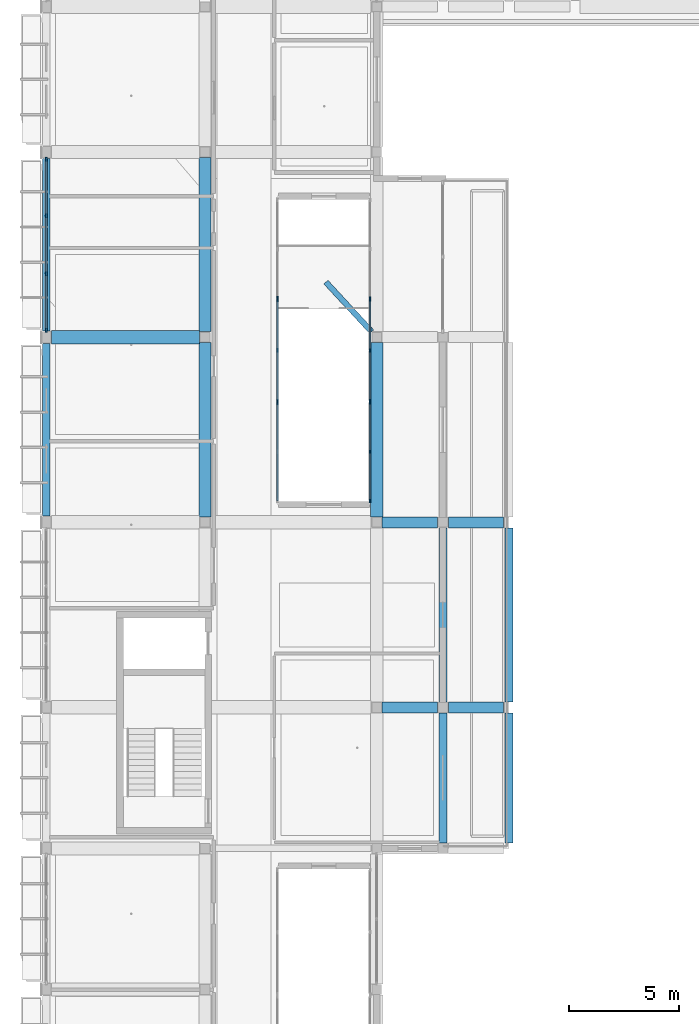
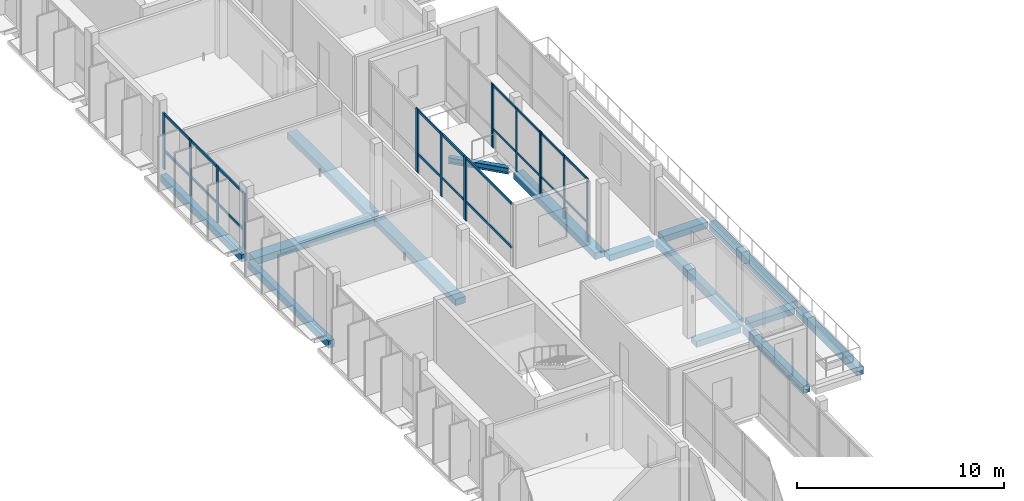
# One storey, part 7 of 86: 26 members, 15 beams, 7 elements without a shape of their own.
"""IFC4 building model written with IfcOpenShell, lengths in metres."""

from ifc_helpers import new_model, si_unit, derived_unit, direction, frame, origin, origin_2d, place, context, subcontext, project, spatial, rectangle, i_section, extrude, material, material_profile, profile_set, type_object, element, aggregate, save


model = new_model("IFC4")

# Units and contexts
model_context = context("Model", 3, precision=1e-05, world=origin(), true_north=direction((0.0, 1.0)))
body_context = subcontext(model_context, "Body", "Model", "MODEL_VIEW")
ifc_project = project(units=[si_unit("LENGTHUNIT", "METRE"), si_unit("AREAUNIT", "SQUARE_METRE"), si_unit("VOLUMEUNIT", "CUBIC_METRE"), si_unit("PLANEANGLEUNIT", "RADIAN"), si_unit("MASSUNIT", "GRAM", prefix="KILO"), derived_unit("THERMALTRANSMITTANCEUNIT", [(si_unit("POWERUNIT", "WATT"), 1), (si_unit("LENGTHUNIT", "METRE"), -2), (si_unit("THERMODYNAMICTEMPERATUREUNIT", "KELVIN"), -1)])], contexts=[model_context])

# Site, building, storey
site_placement = place(None, origin())
site = spatial("IfcSite", under=ifc_project, at=site_placement, CompositionType="ELEMENT")
building_placement = place(site_placement, origin())
building = spatial("IfcBuilding", under=site, at=building_placement, Name="Braskholm Square Health Centre", CompositionType="ELEMENT")
storey_placement = place(building_placement, frame((0.0, 0.0, 13.5)))
storey = spatial("IfcBuildingStorey", under=building, at=storey_placement, Name="L04", CompositionType="ELEMENT", Elevation=13.5)

# Curtain wall, members
ifc_material_1 = material(Name="Low-E triple insulating glass (VLT 0.64)", Category="glass")
curtain_wall_type_1 = type_object("IfcCurtainWallType", Name="UnitisedCurtainWall4800x3800", PredefinedType="NOTDEFINED", material=ifc_material_1)
curtain_wall_1_placement = place(storey_placement, origin())
curtain_wall_1 = element("IfcCurtainWall", 1, at=curtain_wall_1_placement, inside=storey, type_object=curtain_wall_type_1, Name="WC2 Court E unitised curtain wall CW-L04-0304", PredefinedType="NOTDEFINED")
ifc_material_2 = material(Name="Architectural bronze anodised aluminium", Category="aluminium")
ifc_material_profile_1 = material_profile(ifc_material_2, rectangle(XDim=0.06494140625, YDim=0.14990234375, at=origin_2d()), Name="ALU-65X150")
ifc_profile_set_1 = profile_set([ifc_material_profile_1], Name="Architectural bronze anodised aluminium")
member_type_1 = type_object("IfcMemberType", Name="CurtainWallMullion65x150", PredefinedType="MULLION", material=ifc_profile_set_1)
member_1_placement = place(storey_placement, frame((18.89990234375, 69.23486328125, 0.0), z_axis=(0.0, 0.0, 1.0), x_axis=(1.0, 0.0, 0.0)))
member_1 = element("IfcMember", 2, at=member_1_placement, type_object=member_type_1, Name="CW-L04-0304 vertical mullion 1", PredefinedType="MULLION", context=body_context, shape_type="SweptSolid", body=[
    extrude(rectangle(XDim=0.06494140625, YDim=0.14990234375, at=origin_2d()), origin(), (0.0, 0.0, 1.0), 3.75),
])
member_2_placement = place(storey_placement, frame((18.89990234375, 67.0009765625, 0.0), z_axis=(0.0, 0.0, 1.0), x_axis=(1.0, 0.0, 0.0)))
member_2 = element("IfcMember", 3, at=member_2_placement, type_object=member_type_1, Name="CW-L04-0304 vertical mullion 2", PredefinedType="MULLION", context=body_context, shape_type="SweptSolid", body=[
    extrude(rectangle(XDim=0.06494140625, YDim=0.14990234375, at=origin_2d()), origin(), (0.0, 0.0, 1.0), 3.75),
])
member_3_placement = place(storey_placement, frame((18.89990234375, 64.76708984375, 0.0), z_axis=(0.0, 0.0, 1.0), x_axis=(1.0, 0.0, 0.0)))
member_3 = element("IfcMember", 4, at=member_3_placement, type_object=member_type_1, Name="CW-L04-0304 vertical mullion 3", PredefinedType="MULLION", context=body_context, shape_type="SweptSolid", body=[
    extrude(rectangle(XDim=0.06494140625, YDim=0.14990234375, at=origin_2d()), origin(), (0.0, 0.0, 1.0), 3.75),
])

curtain_wall_2_placement = place(storey_placement, origin())
curtain_wall_2 = element("IfcCurtainWall", 5, at=curtain_wall_2_placement, inside=storey, type_object=curtain_wall_type_1, Name="WC2 Court E unitised curtain wall CW-L04-0306", PredefinedType="NOTDEFINED")
member_4_placement = place(storey_placement, frame((18.89990234375, 73.900146484375, 0.0), z_axis=(0.0, 0.0, 1.0), x_axis=(1.0, 0.0, 0.0)))
member_4 = element("IfcMember", 6, at=member_4_placement, type_object=member_type_1, Name="CW-L04-0306 vertical mullion 1", PredefinedType="MULLION", context=body_context, shape_type="SweptSolid", body=[
    extrude(rectangle(XDim=0.06494140625, YDim=0.14990234375, at=origin_2d()), origin(), (0.0, 0.0, 1.0), 3.75),
])
member_5_placement = place(storey_placement, frame((18.89990234375, 71.60009765625, 0.0), z_axis=(0.0, 0.0, 1.0), x_axis=(1.0, 0.0, 0.0)))
member_5 = element("IfcMember", 7, at=member_5_placement, type_object=member_type_1, Name="CW-L04-0306 vertical mullion 2", PredefinedType="MULLION", context=body_context, shape_type="SweptSolid", body=[
    extrude(rectangle(XDim=0.06494140625, YDim=0.14990234375, at=origin_2d()), origin(), (0.0, 0.0, 1.0), 3.75),
])
member_6_placement = place(storey_placement, frame((18.89990234375, 69.2998046875, 0.0), z_axis=(0.0, 0.0, 1.0), x_axis=(1.0, 0.0, 0.0)))
member_6 = element("IfcMember", 8, at=member_6_placement, type_object=member_type_1, Name="CW-L04-0306 vertical mullion 3", PredefinedType="MULLION", context=body_context, shape_type="SweptSolid", body=[
    extrude(rectangle(XDim=0.06494140625, YDim=0.14990234375, at=origin_2d()), origin(), (0.0, 0.0, 1.0), 3.75),
])

# Curtain wall, member
curtain_wall_3_placement = place(storey_placement, origin())
curtain_wall_3 = element("IfcCurtainWall", 9, at=curtain_wall_3_placement, inside=storey, type_object=curtain_wall_type_1, Name="WC2 Court E unitised curtain wall CW-L04-0308", PredefinedType="NOTDEFINED")
member_7_placement = place(storey_placement, frame((18.89990234375, 73.965087890625, 0.0), z_axis=(0.0, 0.0, 1.0), x_axis=(1.0, 0.0, 0.0)))
member_7 = element("IfcMember", 10, at=member_7_placement, type_object=member_type_1, Name="CW-L04-0308 vertical mullion 3", PredefinedType="MULLION", context=body_context, shape_type="SweptSolid", body=[
    extrude(rectangle(XDim=0.06494140625, YDim=0.14990234375, at=origin_2d()), origin(), (0.0, 0.0, 1.0), 3.75),
])
aggregate(curtain_wall_3, [member_7])

# Curtain wall, members
curtain_wall_type_2 = type_object("IfcCurtainWallType", Name="UnitisedCurtainWall6200x3650", PredefinedType="NOTDEFINED", material=ifc_material_1)
curtain_wall_4_placement = place(storey_placement, origin())
curtain_wall_4 = element("IfcCurtainWall", 11, at=curtain_wall_4_placement, inside=storey, type_object=curtain_wall_type_2, Name="West Outer unitised curtain wall CW-L04-0027", PredefinedType="NOTDEFINED")
ifc_material_profile_2 = material_profile(ifc_material_2, rectangle(XDim=0.074951171875, YDim=0.179931640625, at=origin_2d()), Name="ALU-75X180")
ifc_profile_set_2 = profile_set([ifc_material_profile_2], Name="Architectural bronze anodised aluminium")
member_type_2 = type_object("IfcMemberType", Name="CurtainWallMullion75x180", PredefinedType="MULLION", material=ifc_profile_set_2)
member_8_placement = place(storey_placement, frame((4.199951171875, 80.28271484375, 0.0), z_axis=(0.0, 0.0, 1.0), x_axis=(1.0, 0.0, 0.0)))
member_8 = element("IfcMember", 12, at=member_8_placement, type_object=member_type_2, Name="CW-L04-0027 vertical mullion 1", PredefinedType="MULLION", context=body_context, shape_type="SweptSolid", body=[
    extrude(rectangle(XDim=0.074951171875, YDim=0.179931640625, at=origin_2d()), origin(), (0.0, 0.0, 1.0), 3.330078125),
])
member_9_placement = place(storey_placement, frame((4.199951171875, 77.7099609375, 0.0), z_axis=(0.0, 0.0, 1.0), x_axis=(1.0, 0.0, 0.0)))
member_9 = element("IfcMember", 13, at=member_9_placement, type_object=member_type_2, Name="CW-L04-0027 vertical mullion 2", PredefinedType="MULLION", context=body_context, shape_type="SweptSolid", body=[
    extrude(rectangle(XDim=0.074951171875, YDim=0.179931640625, at=origin_2d()), origin(), (0.0, 0.0, 1.0), 3.330078125),
])
member_10_placement = place(storey_placement, frame((4.199951171875, 75.090087890625, 0.0), z_axis=(0.0, 0.0, 1.0), x_axis=(1.0, 0.0, 0.0)))
member_10 = element("IfcMember", 14, at=member_10_placement, type_object=member_type_2, Name="CW-L04-0027 vertical mullion 3", PredefinedType="MULLION", context=body_context, shape_type="SweptSolid", body=[
    extrude(rectangle(XDim=0.074951171875, YDim=0.179931640625, at=origin_2d()), origin(), (0.0, 0.0, 1.0), 3.330078125),
])
member_11_placement = place(storey_placement, frame((4.199951171875, 72.51708984375, 0.0), z_axis=(0.0, 0.0, 1.0), x_axis=(1.0, 0.0, 0.0)))
member_11 = element("IfcMember", 15, at=member_11_placement, type_object=member_type_2, Name="CW-L04-0027 vertical mullion 4", PredefinedType="MULLION", context=body_context, shape_type="SweptSolid", body=[
    extrude(rectangle(XDim=0.074951171875, YDim=0.179931640625, at=origin_2d()), origin(), (0.0, 0.0, 1.0), 3.330078125),
])

# Curtain wall, member
curtain_wall_5_placement = place(storey_placement, origin())
curtain_wall_5 = element("IfcCurtainWall", 16, at=curtain_wall_5_placement, inside=storey, type_object=curtain_wall_type_1, Name="WC2 Court W unitised curtain wall CW-L04-0303", PredefinedType="NOTDEFINED")
member_12_placement = place(storey_placement, frame((14.699951171875, 69.23486328125, 0.0), z_axis=(0.0, 0.0, 1.0), x_axis=(1.0, 0.0, 0.0)))
member_12 = element("IfcMember", 17, at=member_12_placement, type_object=member_type_2, Name="CW-L04-0303 vertical mullion 3", PredefinedType="MULLION", context=body_context, shape_type="SweptSolid", body=[
    extrude(rectangle(XDim=0.074951171875, YDim=0.179931640625, at=origin_2d()), origin(), (0.0, 0.0, 1.0), 3.75),
])

# Curtain wall, members
curtain_wall_6_placement = place(storey_placement, origin())
curtain_wall_6 = element("IfcCurtainWall", 18, at=curtain_wall_6_placement, inside=storey, type_object=curtain_wall_type_1, Name="WC2 Court W unitised curtain wall CW-L04-0305", PredefinedType="NOTDEFINED")
member_13_placement = place(storey_placement, frame((14.699951171875, 69.2998046875, 0.0), z_axis=(0.0, 0.0, 1.0), x_axis=(1.0, 0.0, 0.0)))
member_13 = element("IfcMember", 19, at=member_13_placement, type_object=member_type_2, Name="CW-L04-0305 vertical mullion 1", PredefinedType="MULLION", context=body_context, shape_type="SweptSolid", body=[
    extrude(rectangle(XDim=0.074951171875, YDim=0.179931640625, at=origin_2d()), origin(), (0.0, 0.0, 1.0), 3.75),
])
member_14_placement = place(storey_placement, frame((14.699951171875, 71.60009765625, 0.0), z_axis=(0.0, 0.0, 1.0), x_axis=(1.0, 0.0, 0.0)))
member_14 = element("IfcMember", 20, at=member_14_placement, type_object=member_type_2, Name="CW-L04-0305 vertical mullion 2", PredefinedType="MULLION", context=body_context, shape_type="SweptSolid", body=[
    extrude(rectangle(XDim=0.074951171875, YDim=0.179931640625, at=origin_2d()), origin(), (0.0, 0.0, 1.0), 3.75),
])
member_15_placement = place(storey_placement, frame((14.699951171875, 73.900146484375, 0.0), z_axis=(0.0, 0.0, 1.0), x_axis=(1.0, 0.0, 0.0)))
member_15 = element("IfcMember", 21, at=member_15_placement, type_object=member_type_2, Name="CW-L04-0305 vertical mullion 3", PredefinedType="MULLION", context=body_context, shape_type="SweptSolid", body=[
    extrude(rectangle(XDim=0.074951171875, YDim=0.179931640625, at=origin_2d()), origin(), (0.0, 0.0, 1.0), 3.75),
])

# Curtain wall, member
curtain_wall_7_placement = place(storey_placement, origin())
curtain_wall_7 = element("IfcCurtainWall", 22, at=curtain_wall_7_placement, inside=storey, type_object=curtain_wall_type_1, Name="WC2 Court W unitised curtain wall CW-L04-0307", PredefinedType="NOTDEFINED")
member_16_placement = place(storey_placement, frame((14.699951171875, 73.965087890625, 0.0), z_axis=(0.0, 0.0, 1.0), x_axis=(1.0, 0.0, 0.0)))
member_16 = element("IfcMember", 23, at=member_16_placement, type_object=member_type_2, Name="CW-L04-0307 vertical mullion 1", PredefinedType="MULLION", context=body_context, shape_type="SweptSolid", body=[
    extrude(rectangle(XDim=0.074951171875, YDim=0.179931640625, at=origin_2d()), origin(), (0.0, 0.0, 1.0), 3.75),
])
aggregate(curtain_wall_7, [member_16])

# Member
ifc_material_profile_3 = material_profile(ifc_material_2, rectangle(XDim=0.06494140625, YDim=0.1201171875, at=origin_2d()), Name="ALU-65X120")
ifc_profile_set_3 = profile_set([ifc_material_profile_3], Name="Architectural bronze anodised aluminium")
member_type_3 = type_object("IfcMemberType", Name="CurtainWallTransom65x120", PredefinedType="USERDEFINED", material=ifc_profile_set_3)
member_17_placement = place(storey_placement, frame((18.89990234375, 69.217041015625, 1.1201171875), z_axis=(0.0, -1.0, 0.0), x_axis=(1.0, 0.0, 0.0)))
member_17 = element("IfcMember", 24, at=member_17_placement, type_object=member_type_3, Name="CW-L04-0304 horizontal transom 1", ObjectType="TRANSOM", PredefinedType="USERDEFINED", context=body_context, shape_type="SweptSolid", body=[
    extrude(rectangle(XDim=0.06494140625, YDim=0.1201171875, at=origin_2d()), origin(), (0.0, 0.0, 1.0), 4.43212890625),
])

member_18_placement = place(storey_placement, frame((18.89990234375, 69.217041015625, 3.679931640625), z_axis=(0.0, -1.0, 0.0), x_axis=(1.0, 0.0, 0.0)))
member_18 = element("IfcMember", 25, at=member_18_placement, type_object=member_type_3, Name="CW-L04-0304 horizontal transom 2", ObjectType="TRANSOM", PredefinedType="USERDEFINED", context=body_context, shape_type="SweptSolid", body=[
    extrude(rectangle(XDim=0.06494140625, YDim=0.1201171875, at=origin_2d()), origin(), (0.0, 0.0, 1.0), 4.43212890625),
])

aggregate(curtain_wall_1, [member_1, member_2, member_3, member_17, member_18])

member_19_placement = place(storey_placement, frame((18.89990234375, 73.883056640625, 1.1201171875), z_axis=(0.0, -1.0, 0.0), x_axis=(1.0, 0.0, 0.0)))
member_19 = element("IfcMember", 26, at=member_19_placement, type_object=member_type_3, Name="CW-L04-0306 horizontal transom 1", ObjectType="TRANSOM", PredefinedType="USERDEFINED", context=body_context, shape_type="SweptSolid", body=[
    extrude(rectangle(XDim=0.06494140625, YDim=0.1201171875, at=origin_2d()), origin(), (0.0, 0.0, 1.0), 4.566162109375),
])

member_20_placement = place(storey_placement, frame((18.89990234375, 73.883056640625, 3.679931640625), z_axis=(0.0, -1.0, 0.0), x_axis=(1.0, 0.0, 0.0)))
member_20 = element("IfcMember", 27, at=member_20_placement, type_object=member_type_3, Name="CW-L04-0306 horizontal transom 2", ObjectType="TRANSOM", PredefinedType="USERDEFINED", context=body_context, shape_type="SweptSolid", body=[
    extrude(rectangle(XDim=0.06494140625, YDim=0.1201171875, at=origin_2d()), origin(), (0.0, 0.0, 1.0), 4.566162109375),
])

aggregate(curtain_wall_2, [member_4, member_5, member_6, member_19, member_20])

ifc_material_profile_4 = material_profile(ifc_material_2, rectangle(XDim=0.074951171875, YDim=0.139892578125, at=origin_2d()), Name="ALU-75X140")
ifc_profile_set_4 = profile_set([ifc_material_profile_4], Name="Architectural bronze anodised aluminium")
member_type_4 = type_object("IfcMemberType", Name="CurtainWallTransom75x140", PredefinedType="USERDEFINED", material=ifc_profile_set_4)
member_21_placement = place(storey_placement, frame((4.199951171875, 80.284912109375, 1.1201171875), z_axis=(0.0, -1.0, 0.0), x_axis=(1.0, 0.0, 0.0)))
member_21 = element("IfcMember", 28, at=member_21_placement, type_object=member_type_4, Name="CW-L04-0027 horizontal transom 1", ObjectType="TRANSOM", PredefinedType="USERDEFINED", context=body_context, shape_type="SweptSolid", body=[
    extrude(rectangle(XDim=0.074951171875, YDim=0.139892578125, at=origin_2d()), origin(), (0.0, 0.0, 1.0), 7.77001953125),
])

member_22_placement = place(storey_placement, frame((4.199951171875, 80.284912109375, 3.260009765625), z_axis=(0.0, -1.0, 0.0), x_axis=(1.0, 0.0, 0.0)))
member_22 = element("IfcMember", 29, at=member_22_placement, type_object=member_type_4, Name="CW-L04-0027 horizontal transom 2", ObjectType="TRANSOM", PredefinedType="USERDEFINED", context=body_context, shape_type="SweptSolid", body=[
    extrude(rectangle(XDim=0.074951171875, YDim=0.139892578125, at=origin_2d()), origin(), (0.0, 0.0, 1.0), 7.77001953125),
])

aggregate(curtain_wall_4, [member_8, member_9, member_10, member_11, member_21, member_22])

member_23_placement = place(storey_placement, frame((14.699951171875, 64.784912109375, 1.1201171875), z_axis=(0.0, 1.0, 0.0), x_axis=(-1.0, 0.0, 0.0)))
member_23 = element("IfcMember", 30, at=member_23_placement, type_object=member_type_4, Name="CW-L04-0303 horizontal transom 1", ObjectType="TRANSOM", PredefinedType="USERDEFINED", context=body_context, shape_type="SweptSolid", body=[
    extrude(rectangle(XDim=0.074951171875, YDim=0.139892578125, at=origin_2d()), origin(), (0.0, 0.0, 1.0), 4.43212890625),
])

member_24_placement = place(storey_placement, frame((14.699951171875, 64.784912109375, 3.679931640625), z_axis=(0.0, 1.0, 0.0), x_axis=(-1.0, 0.0, 0.0)))
member_24 = element("IfcMember", 31, at=member_24_placement, type_object=member_type_4, Name="CW-L04-0303 horizontal transom 2", ObjectType="TRANSOM", PredefinedType="USERDEFINED", context=body_context, shape_type="SweptSolid", body=[
    extrude(rectangle(XDim=0.074951171875, YDim=0.139892578125, at=origin_2d()), origin(), (0.0, 0.0, 1.0), 4.43212890625),
])

aggregate(curtain_wall_5, [member_12, member_23, member_24])

member_25_placement = place(storey_placement, frame((14.699951171875, 69.31689453125, 1.1201171875), z_axis=(0.0, 1.0, 0.0), x_axis=(-1.0, 0.0, 0.0)))
member_25 = element("IfcMember", 32, at=member_25_placement, type_object=member_type_4, Name="CW-L04-0305 horizontal transom 1", ObjectType="TRANSOM", PredefinedType="USERDEFINED", context=body_context, shape_type="SweptSolid", body=[
    extrude(rectangle(XDim=0.074951171875, YDim=0.139892578125, at=origin_2d()), origin(), (0.0, 0.0, 1.0), 4.566162109375),
])

member_26_placement = place(storey_placement, frame((14.699951171875, 69.31689453125, 3.679931640625), z_axis=(0.0, 1.0, 0.0), x_axis=(-1.0, 0.0, 0.0)))
member_26 = element("IfcMember", 33, at=member_26_placement, type_object=member_type_4, Name="CW-L04-0305 horizontal transom 2", ObjectType="TRANSOM", PredefinedType="USERDEFINED", context=body_context, shape_type="SweptSolid", body=[
    extrude(rectangle(XDim=0.074951171875, YDim=0.139892578125, at=origin_2d()), origin(), (0.0, 0.0, 1.0), 4.566162109375),
])

aggregate(curtain_wall_6, [member_13, member_14, member_15, member_25, member_26])

# Beams
ifc_material_3 = material(Name="Concrete C35/45 (f'c = 35 MPa)", Category="concrete")
ifc_material_profile_5 = material_profile(ifc_material_3, rectangle(XDim=0.5, YDim=0.360107421875, at=origin_2d()), Name="RCB-500X360")
ifc_profile_set_5 = profile_set([ifc_material_profile_5], Name="Concrete C35/45 (f'c = 35 MPa)")
beam_type_1 = type_object("IfcBeamType", Name="PrimaryBandBeam500x360", PredefinedType="BEAM", material=ifc_profile_set_5)
for number, where, z_axis, x_axis, name in (
    (34, (19.449951171875, 55.39990234375, -0.47998046875), (1.0, 0.0, 0.0), (0.0, 1.0, 0.0), "Beam 3-4/J L04"),
    (35, (22.449951171875, 55.39990234375, -0.429931640625), (1.0, 0.0, 0.0), (0.0, 1.0, 0.0), "Beam 4-5/J L04"),
    (36, (19.449951171875, 63.800048828125, -0.47998046875), (1.0, 0.0, 0.0), (0.0, 1.0, 0.0), "Beam 3-4/K L04"),
    (37, (22.449951171875, 63.800048828125, -0.429931640625), (1.0, 0.0, 0.0), (0.0, 1.0, 0.0), "Beam 4-5/K L04"),
):
    element("IfcBeam", number, at=place(storey_placement, frame(where, z_axis=z_axis, x_axis=x_axis)), inside=storey, type_object=beam_type_1, Name=name, PredefinedType="BEAM", context=body_context, shape_type="SweptSolid", body=[
        extrude(rectangle(XDim=0.5, YDim=0.360107421875, at=origin_2d()), origin(), (0.0, 0.0, 1.0), 2.5),
    ])
ifc_material_profile_6 = material_profile(ifc_material_3, rectangle(XDim=0.550048828125, YDim=0.3798828125, at=origin_2d()), Name="RCB-550X380")
ifc_profile_set_6 = profile_set([ifc_material_profile_6], Name="Concrete C35/45 (f'c = 35 MPa)")
beam_type_2 = type_object("IfcBeamType", Name="PrimaryBandBeam550x380", PredefinedType="BEAM", material=ifc_profile_set_6)
beam_1_placement = place(storey_placement, frame((11.39990234375, 64.050048828125, -0.489990234375), z_axis=(0.0, 1.0, 0.0), x_axis=(-1.0, 0.0, 0.0)))
element("IfcBeam", 38, at=beam_1_placement, inside=storey, type_object=beam_type_2, Name="Beam 2/K-L L04", PredefinedType="BEAM", context=body_context, shape_type="SweptSolid", body=[
    extrude(rectangle(XDim=0.550048828125, YDim=0.3798828125, at=origin_2d()), origin(), (0.0, 0.0, 1.0), 7.89990234375),
])
beam_2_placement = place(storey_placement, frame((11.39990234375, 72.449951171875, -0.489990234375), z_axis=(0.0, 1.0, 0.0), x_axis=(-1.0, 0.0, 0.0)))
element("IfcBeam", 39, at=beam_2_placement, inside=storey, type_object=beam_type_2, Name="Beam 2/L-M L04", PredefinedType="BEAM", context=body_context, shape_type="SweptSolid", body=[
    extrude(rectangle(XDim=0.550048828125, YDim=0.3798828125, at=origin_2d()), origin(), (0.0, 0.0, 1.0), 7.900146484375),
])
beam_3_placement = place(storey_placement, frame((19.199951171875, 64.050048828125, -0.489990234375), z_axis=(0.0, 1.0, 0.0), x_axis=(-1.0, 0.0, 0.0)))
element("IfcBeam", 40, at=beam_3_placement, inside=storey, type_object=beam_type_2, Name="Beam 3/K-L L04", PredefinedType="BEAM", context=body_context, shape_type="SweptSolid", body=[
    extrude(rectangle(XDim=0.550048828125, YDim=0.3798828125, at=origin_2d()), origin(), (0.0, 0.0, 1.0), 7.89990234375),
])
ifc_material_profile_7 = material_profile(ifc_material_3, rectangle(XDim=0.60009765625, YDim=0.39990234375, at=origin_2d()), Name="RCB-600X400")
ifc_profile_set_7 = profile_set([ifc_material_profile_7], Name="Concrete C35/45 (f'c = 35 MPa)")
beam_type_3 = type_object("IfcBeamType", Name="PrimaryBandBeam600x400", PredefinedType="BEAM", material=ifc_profile_set_7)
beam_4_placement = place(storey_placement, frame((4.429931640625, 72.199951171875, -0.5), z_axis=(1.0, 0.0, 0.0), x_axis=(0.0, 1.0, 0.0)))
element("IfcBeam", 41, at=beam_4_placement, inside=storey, type_object=beam_type_3, Name="Beam 1-2/L L04", PredefinedType="BEAM", context=body_context, shape_type="SweptSolid", body=[
    extrude(rectangle(XDim=0.60009765625, YDim=0.39990234375, at=origin_2d()), origin(), (0.0, 0.0, 1.0), 6.719970703125),
])
ifc_material_4 = material(Name="Precast concrete C40/50 architectural white", Category="concrete")
ifc_material_profile_8 = material_profile(ifc_material_4, rectangle(XDim=0.340087890625, YDim=0.419921875, at=origin_2d()), Name="RCB-340X420")
ifc_profile_set_8 = profile_set([ifc_material_profile_8], Name="Precast concrete C40/50 architectural white")
beam_type_4 = type_object("IfcBeamType", Name="SpandrelCrownEdge340x420", PredefinedType="SPANDREL", material=ifc_profile_set_8)
beam_5_placement = place(storey_placement, frame((4.199951171875, 64.080078125, -0.510009765625), z_axis=(0.0, 1.0, 0.0), x_axis=(-1.0, 0.0, 0.0)))
element("IfcBeam", 42, at=beam_5_placement, inside=storey, type_object=beam_type_4, Name="Beam 1/K-L L04", PredefinedType="SPANDREL", context=body_context, shape_type="SweptSolid", body=[
    extrude(rectangle(XDim=0.340087890625, YDim=0.419921875, at=origin_2d()), origin(), (0.0, 0.0, 1.0), 7.83984375),
])
beam_6_placement = place(storey_placement, frame((4.199951171875, 72.47998046875, -0.510009765625), z_axis=(0.0, 1.0, 0.0), x_axis=(-1.0, 0.0, 0.0)))
element("IfcBeam", 43, at=beam_6_placement, inside=storey, type_object=beam_type_4, Name="Beam 1/L-M L04", PredefinedType="SPANDREL", context=body_context, shape_type="SweptSolid", body=[
    extrude(rectangle(XDim=0.340087890625, YDim=0.419921875, at=origin_2d()), origin(), (0.0, 0.0, 1.0), 7.840087890625),
])
ifc_material_profile_9 = material_profile(ifc_material_4, rectangle(XDim=0.360107421875, YDim=0.4599609375, at=origin_2d()), Name="RCB-360X460")
ifc_profile_set_9 = profile_set([ifc_material_profile_9], Name="Precast concrete C40/50 architectural white")
beam_type_5 = type_object("IfcBeamType", Name="SpandrelTerraceEdge360x460", PredefinedType="SPANDREL", material=ifc_profile_set_9)
beam_7_placement = place(storey_placement, frame((22.199951171875, 49.25, -0.47998046875), z_axis=(0.0, 1.0, 0.0), x_axis=(-1.0, 0.0, 0.0)))
element("IfcBeam", 44, at=beam_7_placement, inside=storey, type_object=beam_type_5, Name="Beam 4/H-J L04", PredefinedType="SPANDREL", context=body_context, shape_type="SweptSolid", body=[
    extrude(rectangle(XDim=0.360107421875, YDim=0.4599609375, at=origin_2d()), origin(), (0.0, 0.0, 1.0), 5.89990234375),
])
beam_8_placement = place(storey_placement, frame((22.199951171875, 55.64990234375, -0.47998046875), z_axis=(0.0, 1.0, 0.0), x_axis=(-1.0, 0.0, 0.0)))
element("IfcBeam", 45, at=beam_8_placement, inside=storey, type_object=beam_type_5, Name="Beam 4/J-K L04", PredefinedType="SPANDREL", context=body_context, shape_type="SweptSolid", body=[
    extrude(rectangle(XDim=0.360107421875, YDim=0.4599609375, at=origin_2d()), origin(), (0.0, 0.0, 1.0), 7.900146484375),
])
beam_9_placement = place(storey_placement, frame((25.199951171875, 49.25, -0.47998046875), z_axis=(0.0, 1.0, 0.0), x_axis=(-1.0, 0.0, 0.0)))
element("IfcBeam", 46, at=beam_9_placement, inside=storey, type_object=beam_type_5, Name="Beam 5/H-J L04", PredefinedType="SPANDREL", context=body_context, shape_type="SweptSolid", body=[
    extrude(rectangle(XDim=0.360107421875, YDim=0.4599609375, at=origin_2d()), origin(), (0.0, 0.0, 1.0), 5.89990234375),
])
beam_10_placement = place(storey_placement, frame((25.199951171875, 55.64990234375, -0.47998046875), z_axis=(0.0, 1.0, 0.0), x_axis=(-1.0, 0.0, 0.0)))
element("IfcBeam", 47, at=beam_10_placement, inside=storey, type_object=beam_type_5, Name="Beam 5/J-K L04", PredefinedType="SPANDREL", context=body_context, shape_type="SweptSolid", body=[
    extrude(rectangle(XDim=0.360107421875, YDim=0.4599609375, at=origin_2d()), origin(), (0.0, 0.0, 1.0), 7.900146484375),
])
ifc_material_5 = material(Name="Steel ASTM A992 Grade 50", Category="steel")
ifc_material_profile_10 = material_profile(ifc_material_5, i_section(OverallWidth=0.2548828125, OverallDepth=0.35693359375, WebThickness=0.010498046875, FlangeThickness=0.018310546875, at=origin_2d()), Name="W14X68")
ifc_profile_set_10 = profile_set([ifc_material_profile_10], Name="Steel ASTM A992 Grade 50")
beam_type_6 = type_object("IfcBeamType", Name="SteelBeamCanopyW14X68", PredefinedType="BEAM", material=ifc_profile_set_10)
beam_11_placement = place(storey_placement, frame((16.892333984375, 74.699951171875, -0.478515625), z_axis=(0.678296649058, -0.734788170752, 0.0), x_axis=(0.734788170752, 0.678296649058, 0.0)))
element("IfcBeam", 48, at=beam_11_placement, inside=storey, type_object=beam_type_6, Name="Tie beam CS3E L04", PredefinedType="BEAM", context=body_context, shape_type="SweptSolid", body=[
    extrude(i_section(OverallWidth=0.2548828125, OverallDepth=0.35693359375, WebThickness=0.010498046875, FlangeThickness=0.018310546875, at=origin_2d()), origin(), (0.0, 0.0, 1.0), 3.064208984375),
])

save(model, "model.ifc")
